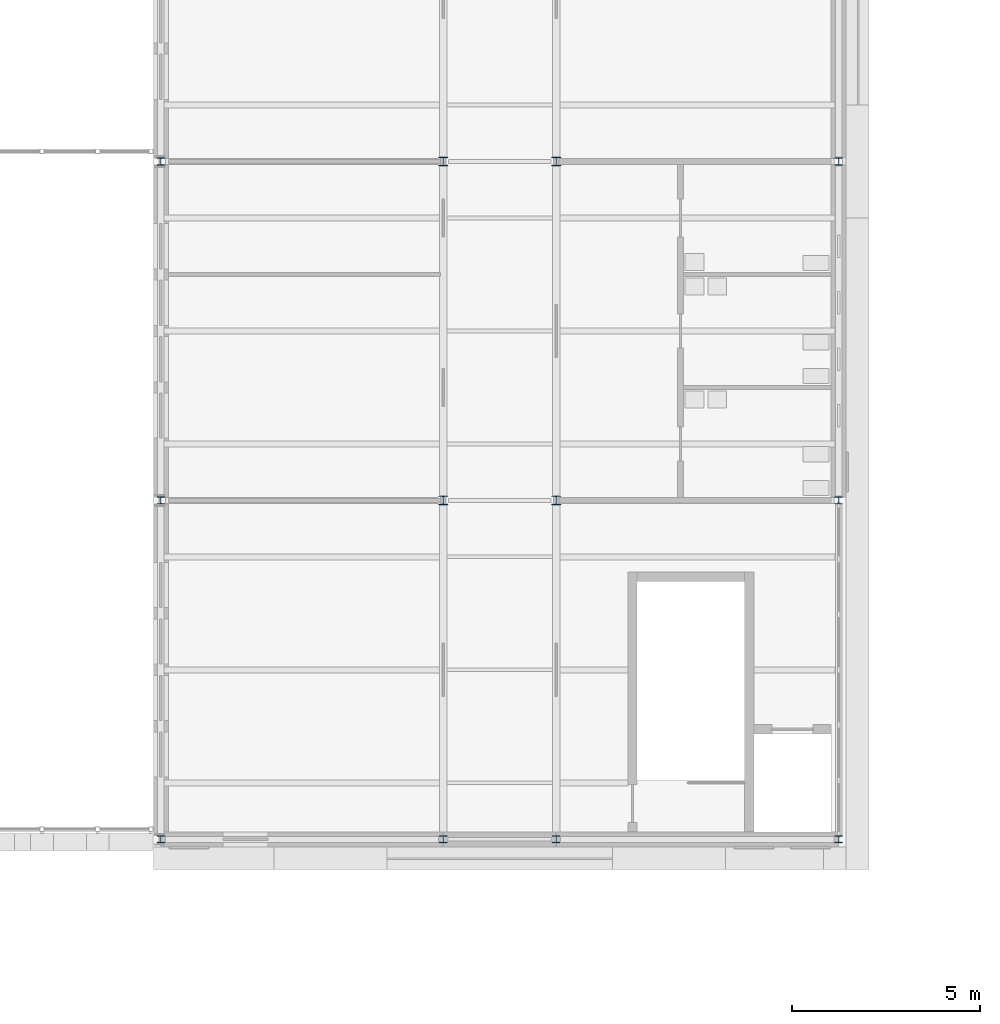
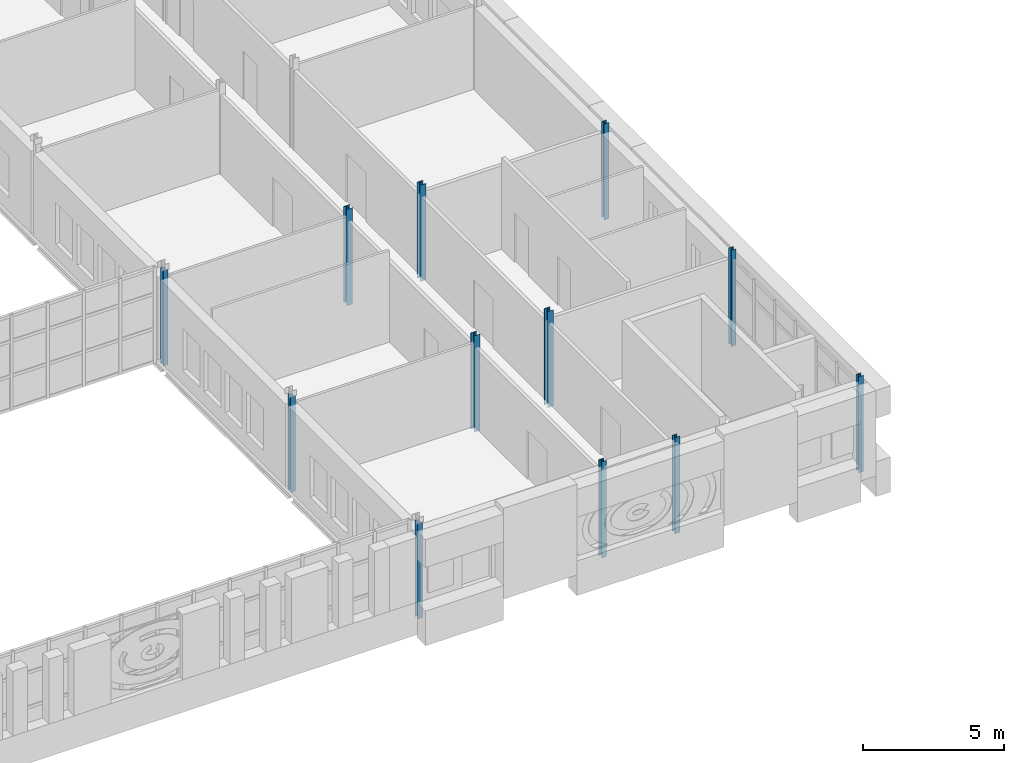
# One storey, part 6 of 154: 12 columns.
"""IFC4 building model written with IfcOpenShell, lengths in metres."""

import ifcopenshell
import ifcopenshell.guid

model = None  # the IFC model being written
_history = None  # IfcOwnerHistory: only IFC2X3 demands one
_inside = {}  # id of a spatial element -> (the spatial element, [elements in it])
_under = {}  # id of a project, library or spatial element -> (it, [spatial elements below it])
_declared = {}  # id of a project -> (the project, [libraries it declares])
_typed = {}  # id of a type object -> (the type object, [elements of that type])
_made_of = {}  # id of a material, layer set ... -> (it, [elements and type objects made of it])


def new_model(schema):
    """Start an empty IFC model of exactly this schema.

    Asked for "IFC4X3", IfcOpenShell would pick the latest addendum, in which some entities
    have other attributes; the version numbers below select the first issue.
    IFC2X3 requires an IfcOwnerHistory on every rooted entity: one is made here for all.
    """
    global model, _history
    if schema == "IFC4X3":
        model = ifcopenshell.file(schema_version=(4, 3, 0, 0))
    else:
        model = ifcopenshell.file(schema=schema)
    _inside.clear()
    _under.clear()
    _declared.clear()
    _typed.clear()
    _made_of.clear()
    _history = None
    if model.schema == "IFC2X3":
        org = make("IfcOrganization", Name="unknown")
        user = make(
            "IfcPersonAndOrganization",
            ThePerson=make("IfcPerson", FamilyName="unknown"),
            TheOrganization=org,
        )
        app = make(
            "IfcApplication",
            ApplicationDeveloper=org,
            Version="unknown",
            ApplicationFullName="unknown",
            ApplicationIdentifier="unknown",
        )
        _history = make(
            "IfcOwnerHistory",
            OwningUser=user,
            OwningApplication=app,
            ChangeAction="ADDED",
            CreationDate=0,
        )
    return model


def make(cls, **values):
    """One entity of the class cls with the attributes given. An attribute that is None is left unset."""
    return model.create_entity(
        cls, **{name: value for name, value in values.items() if value is not None}
    )


def rooted(cls, **values):
    """An entity with a GlobalId (a new one), such as an element, a storey or a relation."""
    return make(cls, GlobalId=ifcopenshell.guid.new(), OwnerHistory=_history, **values)


def si_unit(unit_type, name, prefix=None):
    """IfcSIUnit, for example si_unit("LENGTHUNIT", "METRE", prefix="MILLI")."""
    return make("IfcSIUnit", UnitType=unit_type, Prefix=prefix, Name=name)


def assignment(units):
    """IfcUnitAssignment: the units of a project."""
    return None if units is None else make("IfcUnitAssignment", Units=units)


def point(xyz):
    """IfcCartesianPoint."""
    return None if xyz is None else make("IfcCartesianPoint", Coordinates=xyz)


def direction(xyz):
    """IfcDirection."""
    return None if xyz is None else make("IfcDirection", DirectionRatios=xyz)


def frame(location, z_axis=None, x_axis=None):
    """IfcAxis2Placement3D, a coordinate frame: its origin and axes. An axis left out is left unset."""
    return make(
        "IfcAxis2Placement3D",
        Location=point(location),
        Axis=direction(z_axis),
        RefDirection=direction(x_axis),
    )


def frame_2d(location, x_axis=None):
    """IfcAxis2Placement2D, a coordinate frame in the plane: its origin and x axis."""
    return make(
        "IfcAxis2Placement2D", Location=point(location), RefDirection=direction(x_axis)
    )


def origin():
    """The frame at (0, 0, 0) with its axes left unset."""
    return frame((0.0, 0.0, 0.0))


def origin_2d():
    """The frame at (0, 0) in the plane with its x axis left unset."""
    return frame_2d((0.0, 0.0))


def place(relative_to, where):
    """IfcLocalPlacement: puts the frame where relative to a parent placement (None: the world)."""
    return make(
        "IfcLocalPlacement", PlacementRelTo=relative_to, RelativePlacement=where
    )


def context(
    kind, dimensions, precision=None, world=None, true_north=None, identifier=None
):
    """IfcGeometricRepresentationContext, for example the 3D "Model" context."""
    return make(
        "IfcGeometricRepresentationContext",
        ContextIdentifier=identifier,
        ContextType=kind,
        CoordinateSpaceDimension=dimensions,
        Precision=precision,
        WorldCoordinateSystem=world,
        TrueNorth=true_north,
    )


def subcontext(parent, identifier, kind, view, scale=None):
    """IfcGeometricRepresentationSubContext, for example "Body" below "Model"."""
    return make(
        "IfcGeometricRepresentationSubContext",
        ContextIdentifier=identifier,
        ContextType=kind,
        ParentContext=parent,
        TargetScale=scale,
        TargetView=view,
    )


def project(units=None, contexts=None):
    """IfcProject with its units and contexts."""
    return rooted(
        "IfcProject",
        Name="project",
        RepresentationContexts=contexts,
        UnitsInContext=assignment(units),
    )


def spatial(cls, under=None, at=None, **own):
    """A site, building, storey or space (cls), placed at a placement, below another one or the project."""
    s = rooted(cls, ObjectPlacement=at, **own)
    if under is not None:
        _under.setdefault(under.id(), (under, []))[1].append(s)
    return s


def profile(cls, at=None, kind="AREA", **sizes):
    """A parametric profile (cls). Its sizes go by their IFC names, for example OverallWidth=200.0."""
    return make(cls, ProfileType=kind, Position=at, **sizes)


def i_section(**sizes):
    """IfcIShapeProfileDef."""
    return profile("IfcIShapeProfileDef", **sizes)


def extrude(swept, where, along, depth):
    """IfcExtrudedAreaSolid: the profile swept, set in the frame where, extruded along a direction by depth."""
    return make(
        "IfcExtrudedAreaSolid",
        SweptArea=swept,
        Position=where,
        ExtrudedDirection=direction(along),
        Depth=depth,
    )


def shape(context_of_items, identifier, shape_type, items):
    """IfcShapeRepresentation: the items that make up one representation, for example the "Body"."""
    return make(
        "IfcShapeRepresentation",
        ContextOfItems=context_of_items,
        RepresentationIdentifier=identifier,
        RepresentationType=shape_type,
        Items=items,
    )


def material(Name=None, Category=None):
    """IfcMaterial."""
    return make("IfcMaterial", Name=Name, Category=Category)


def material_profile(
    of_material, cross_section, Name=None, Category=None, Priority=None
):
    """IfcMaterialProfile: a cross section and its material."""
    return make(
        "IfcMaterialProfile",
        Name=Name,
        Material=of_material,
        Profile=cross_section,
        Priority=Priority,
        Category=Category,
    )


def profile_set(profiles, Name=None, composite=None):
    """IfcMaterialProfileSet."""
    return make(
        "IfcMaterialProfileSet",
        Name=Name,
        MaterialProfiles=profiles,
        CompositeProfile=composite,
    )


def made_of(thing, what):
    """Note that an element or type object is made of a material, layer set ...; save() writes the relation."""
    if what is not None:
        _made_of.setdefault(what.id(), (what, []))[1].append(thing)
    return thing


def type_object(cls, material=None, **own):
    """A type object (cls), such as IfcWallType, which elements share."""
    return made_of(rooted(cls, **own), material)


def element(
    cls,
    number,
    at=None,
    inside=None,
    cuts=None,
    type_object=None,
    material=None,
    context=None,
    identifier="Body",
    shape_type=None,
    held_by="IfcProductDefinitionShape",
    body=None,
    shapes=None,
    **own,
):
    """One element of the class cls, such as IfcWall. Its Tag is "e" and its number.

    at: its placement. inside: the storey or other place that contains it. cuts: it is an
    opening in that element (IfcRelVoidsElement). A single representation is given by context,
    identifier, shape_type and body (its items); several are given by shapes. held_by: the class
    of the entity that holds the representations. save() writes the other relations.
    """
    e = rooted(cls, Tag="e%d" % number, ObjectPlacement=at, **own)
    if body is not None:
        shapes = [shape(context, identifier, shape_type, body)]
    if shapes is not None:
        e.Representation = make(held_by, Representations=shapes)
    if inside is not None:
        _inside.setdefault(inside.id(), (inside, []))[1].append(e)
    if cuts is not None:
        rooted(
            "IfcRelVoidsElement", RelatingBuildingElement=cuts, RelatedOpeningElement=e
        )
    if type_object is not None:
        _typed.setdefault(type_object.id(), (type_object, []))[1].append(e)
    return made_of(e, material)


def aggregate(whole, parts):
    """IfcRelAggregates: a whole, such as a stair, and the parts it consists of."""
    return rooted("IfcRelAggregates", RelatingObject=whole, RelatedObjects=parts)


def save(model, path):
    """Write the relations noted so far, then the file.

    IfcRelAggregates (storeys below a building ...), IfcRelContainedInSpatialStructure (elements
    in a storey), IfcRelDefinesByType, IfcRelAssociatesMaterial and IfcRelDeclares: one each for
    every whole, place, type object, material and project.
    """
    for whole, parts in _under.values():
        aggregate(whole, parts)
    for where, things in _inside.values():
        rooted(
            "IfcRelContainedInSpatialStructure",
            RelatedElements=things,
            RelatingStructure=where,
        )
    for kind, things in _typed.values():
        rooted("IfcRelDefinesByType", RelatedObjects=things, RelatingType=kind)
    for what, things in _made_of.values():
        rooted("IfcRelAssociatesMaterial", RelatedObjects=things, RelatingMaterial=what)
    for by, libraries in _declared.values():
        rooted("IfcRelDeclares", RelatingContext=by, RelatedDefinitions=libraries)
    model.write(path)


model = new_model("IFC4")

# Units and contexts
model_context = context("Model", 3, precision=1e-05, world=origin(), true_north=direction((0.0, 1.0)))
body_context = subcontext(model_context, "Body", "Model", "MODEL_VIEW")
ifc_project = project(units=[si_unit("LENGTHUNIT", "METRE"), si_unit("AREAUNIT", "SQUARE_METRE"), si_unit("VOLUMEUNIT", "CUBIC_METRE"), si_unit("PLANEANGLEUNIT", "RADIAN"), si_unit("MASSUNIT", "GRAM", prefix="KILO")], contexts=[model_context])

# Site, building, storey
site_placement = place(None, origin())
site = spatial("IfcSite", under=ifc_project, at=site_placement, CompositionType="ELEMENT")
building_placement = place(site_placement, origin())
building = spatial("IfcBuilding", under=site, at=building_placement, Name="Golden Quay Civic Hall", CompositionType="ELEMENT")
storey_placement = place(building_placement, frame((0.0, 0.0, 14.39990234375)))
storey = spatial("IfcBuildingStorey", under=building, at=storey_placement, Name="L03", CompositionType="ELEMENT", Elevation=14.39990234375)

# Columns
ifc_material_1 = material(Name="Steel S355", Category="steel")
ifc_material_profile_1 = material_profile(ifc_material_1, i_section(OverallWidth=0.199951171875, OverallDepth=0.18994140625, WebThickness=0.006591796875, FlangeThickness=0.010009765625, FilletRadius=0.01806640625, at=origin_2d()), Name="HEA 200")
ifc_profile_set_1 = profile_set([ifc_material_profile_1], Name="Steel S355")
column_type_1 = type_object("IfcColumnType", Name="Steel column HEA 200", PredefinedType="COLUMN", material=ifc_profile_set_1)
for number, where, z_axis, x_axis, name in (
    (1, (99.0, 0.0, -0.199951171875), (0.0, 0.0, 1.0), (1.0, 0.0, 0.0), "Column 99/0 L03"),
    (2, (99.0, 9.0, -0.199951171875), (0.0, 0.0, 1.0), (1.0, 0.0, 0.0), "Column 99/9 L03"),
    (3, (99.0, 18.0, -0.199951171875), (0.0, 0.0, 1.0), (1.0, 0.0, 0.0), "Column 99/18 L03"),
    (4, (106.5, 0.0, -0.199951171875), (0.0, 0.0, 1.0), (1.0, 0.0, 0.0), "Column 106.5/0 L03"),
    (5, (109.5, 0.0, -0.199951171875), (0.0, 0.0, 1.0), (1.0, 0.0, 0.0), "Column 109.5/0 L03"),
    (6, (117.0, 0.0, -0.199951171875), (0.0, 0.0, 1.0), (1.0, 0.0, 0.0), "Column 117/0 L03"),
    (7, (117.0, 9.0, -0.199951171875), (0.0, 0.0, 1.0), (1.0, 0.0, 0.0), "Column 117/9 L03"),
    (8, (117.0, 18.0, -0.199951171875), (0.0, 0.0, 1.0), (1.0, 0.0, 0.0), "Column 117/18 L03"),
):
    element("IfcColumn", number, at=place(storey_placement, frame(where, z_axis=z_axis, x_axis=x_axis)), inside=storey, type_object=column_type_1, Name=name, PredefinedType="COLUMN", context=body_context, shape_type="SweptSolid", body=[
        extrude(i_section(OverallWidth=0.199951171875, OverallDepth=0.18994140625, WebThickness=0.006591796875, FlangeThickness=0.010009765625, FilletRadius=0.01806640625, at=origin_2d()), origin(), (0.0, 0.0, 1.0), 4.150146484375),
    ])
ifc_material_2 = material(Name="Steel S355", Category="steel")
ifc_material_profile_2 = material_profile(ifc_material_2, i_section(OverallWidth=0.239990234375, OverallDepth=0.22998046875, WebThickness=0.007568359375, FlangeThickness=0.011962890625, FilletRadius=0.02099609375, at=origin_2d()), Name="HEA 240")
ifc_profile_set_2 = profile_set([ifc_material_profile_2], Name="Steel S355")
column_type_2 = type_object("IfcColumnType", Name="Steel column HEA 240", PredefinedType="COLUMN", material=ifc_profile_set_2)
for number, where, z_axis, x_axis, name in (
    (9, (106.5, 9.0, -0.199951171875), (0.0, 0.0, 1.0), (1.0, 0.0, 0.0), "Column 106.5/9 L03"),
    (10, (106.5, 18.0, -0.199951171875), (0.0, 0.0, 1.0), (1.0, 0.0, 0.0), "Column 106.5/18 L03"),
    (11, (109.5, 9.0, -0.199951171875), (0.0, 0.0, 1.0), (1.0, 0.0, 0.0), "Column 109.5/9 L03"),
    (12, (109.5, 18.0, -0.199951171875), (0.0, 0.0, 1.0), (1.0, 0.0, 0.0), "Column 109.5/18 L03"),
):
    element("IfcColumn", number, at=place(storey_placement, frame(where, z_axis=z_axis, x_axis=x_axis)), inside=storey, type_object=column_type_2, Name=name, PredefinedType="COLUMN", context=body_context, shape_type="SweptSolid", body=[
        extrude(i_section(OverallWidth=0.239990234375, OverallDepth=0.22998046875, WebThickness=0.007568359375, FlangeThickness=0.011962890625, FilletRadius=0.02099609375, at=origin_2d()), origin(), (0.0, 0.0, 1.0), 4.150146484375),
    ])

save(model, "model.ifc")
